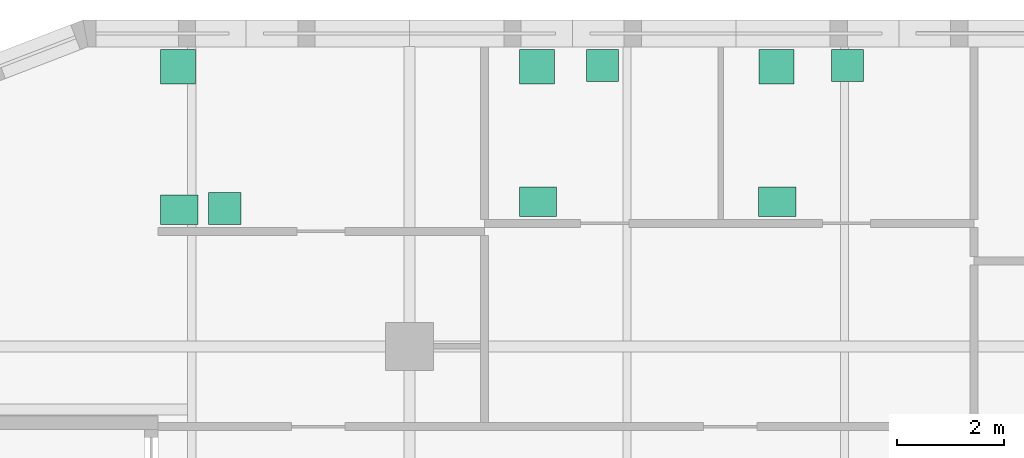
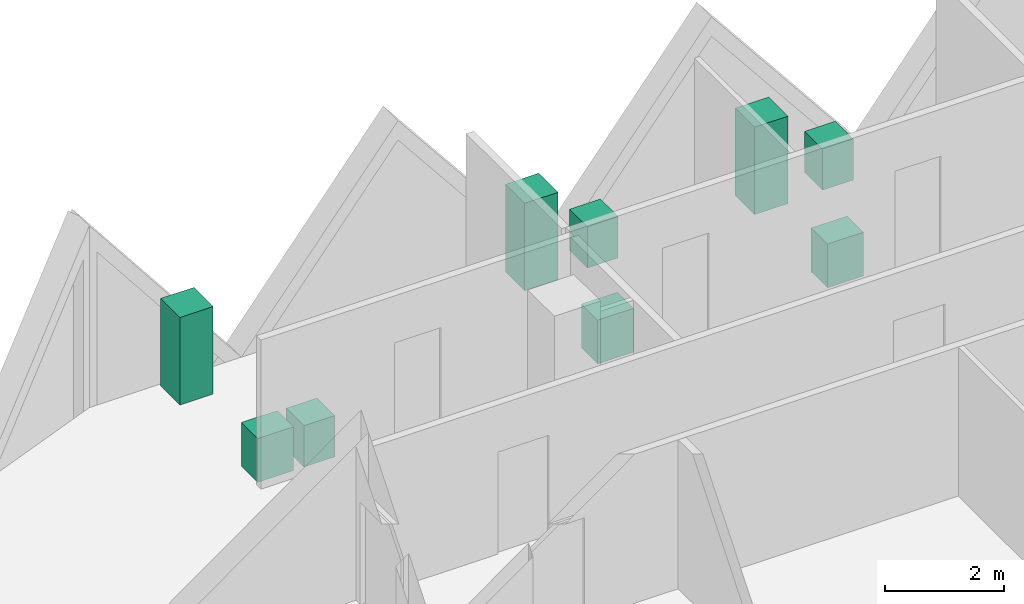
# One storey, part 13 of 13: 6 electric appliances, 3 sanitary terminals.
"""IFC4 building model written with IfcOpenShell, lengths in metres."""

from ifc_helpers import new_model, si_unit, direction, frame, origin, origin_2d, place, context, subcontext, project, spatial, rectangle, extrude, material, type_object, element, save


model = new_model("IFC4")

# Units and contexts
model_context = context("Model", 3, precision=1e-05, world=origin(), true_north=direction((0.0, 1.0)))
body_context = subcontext(model_context, "Body", "Model", "MODEL_VIEW")
ifc_project = project(units=[si_unit("LENGTHUNIT", "METRE"), si_unit("AREAUNIT", "SQUARE_METRE"), si_unit("VOLUMEUNIT", "CUBIC_METRE"), si_unit("PLANEANGLEUNIT", "RADIAN"), si_unit("MASSUNIT", "GRAM", prefix="KILO")], contexts=[model_context])

# Site, building, storey
site_placement = place(None, origin())
site = spatial("IfcSite", under=ifc_project, at=site_placement, CompositionType="ELEMENT")
building_placement = place(site_placement, origin())
building = spatial("IfcBuilding", under=site, at=building_placement, Name="Tessera Gate Towers", CompositionType="ELEMENT")
storey_placement = place(building_placement, frame((0.0, 0.0, 120.199951171875)))
storey = spatial("IfcBuildingStorey", under=building, at=storey_placement, Name="L29", CompositionType="ELEMENT", Elevation=120.199951171875)

# Electric appliances
ifc_material_1 = material(Name="Enamelled steel", Category="steel")
electric_appliance_type_1 = type_object("IfcElectricApplianceType", Name="DISHWASHER 600x600", PredefinedType="DISHWASHER", material=ifc_material_1)
for number, where, z_axis, x_axis, name in (
    (1, (8.75, 51.375, 0.0), (0.0, 0.0, 1.0), (1.0, 0.0, 0.0), "Dishwasher"),
    (2, (15.81005859375, 54.050048828125, 0.0), (0.0, 0.0, 1.0), (1.0, 0.0, 0.0), "Dishwasher"),
    (3, (20.385009765625, 54.050048828125, 0.0), (0.0, 0.0, 1.0), (1.0, 0.0, 0.0), "Dishwasher"),
):
    element("IfcElectricAppliance", number, at=place(storey_placement, frame(where, z_axis=z_axis, x_axis=x_axis)), inside=storey, type_object=electric_appliance_type_1, Name=name, PredefinedType="DISHWASHER", context=body_context, shape_type="SweptSolid", body=[
        extrude(rectangle(XDim=0.60009765625, YDim=0.60009765625, at=origin_2d()), origin(), (0.0, 0.0, 1.0), 0.85009765625),
    ])
ifc_material_2 = material(Name="Enamelled steel", Category="steel")
electric_appliance_type_2 = type_object("IfcElectricApplianceType", Name="REFRIGERATOR 650x650", PredefinedType="FRIDGE_FREEZER", material=ifc_material_2)
for number, where, z_axis, x_axis, name in (
    (4, (7.875, 54.02490234375, 0.0), (0.0, 0.0, 1.0), (1.0, 0.0, 0.0), "Refrigerator"),
    (5, (14.5869140625, 54.02490234375, 0.0), (0.0, 0.0, 1.0), (1.0, 0.0, 0.0), "Refrigerator"),
    (6, (19.05908203125, 54.02490234375, 0.0), (0.0, 0.0, 1.0), (1.0, 0.0, 0.0), "Refrigerator"),
):
    element("IfcElectricAppliance", number, at=place(storey_placement, frame(where, z_axis=z_axis, x_axis=x_axis)), inside=storey, type_object=electric_appliance_type_2, Name=name, PredefinedType="FRIDGE_FREEZER", context=body_context, shape_type="SweptSolid", body=[
        extrude(rectangle(XDim=0.64990234375, YDim=0.64990234375, at=origin_2d()), origin(), (0.0, 0.0, 1.0), 1.800048828125),
    ])

# Sanitary terminals
ifc_material_3 = material(Name="Vitreous china")
sanitary_terminal_type = type_object("IfcSanitaryTerminalType", Name="SINK 700x550", PredefinedType="SINK", material=ifc_material_3)
for number, where, z_axis, x_axis, name in (
    (7, (7.89990234375, 51.35009765625, 0.0), (0.0, 0.0, 1.0), (1.0, 0.0, 0.0), "Sink"),
    (8, (14.60302734375, 51.5, 0.0), (0.0, 0.0, 1.0), (1.0, 0.0, 0.0), "Sink"),
    (9, (19.074951171875, 51.5, 0.0), (0.0, 0.0, 1.0), (1.0, 0.0, 0.0), "Sink"),
):
    element("IfcSanitaryTerminal", number, at=place(storey_placement, frame(where, z_axis=z_axis, x_axis=x_axis)), inside=storey, type_object=sanitary_terminal_type, Name=name, PredefinedType="SINK", context=body_context, shape_type="SweptSolid", body=[
        extrude(rectangle(XDim=0.699951171875, YDim=0.550048828125, at=origin_2d()), origin(), (0.0, 0.0, 1.0), 0.89990234375),
    ])

save(model, "model.ifc")
